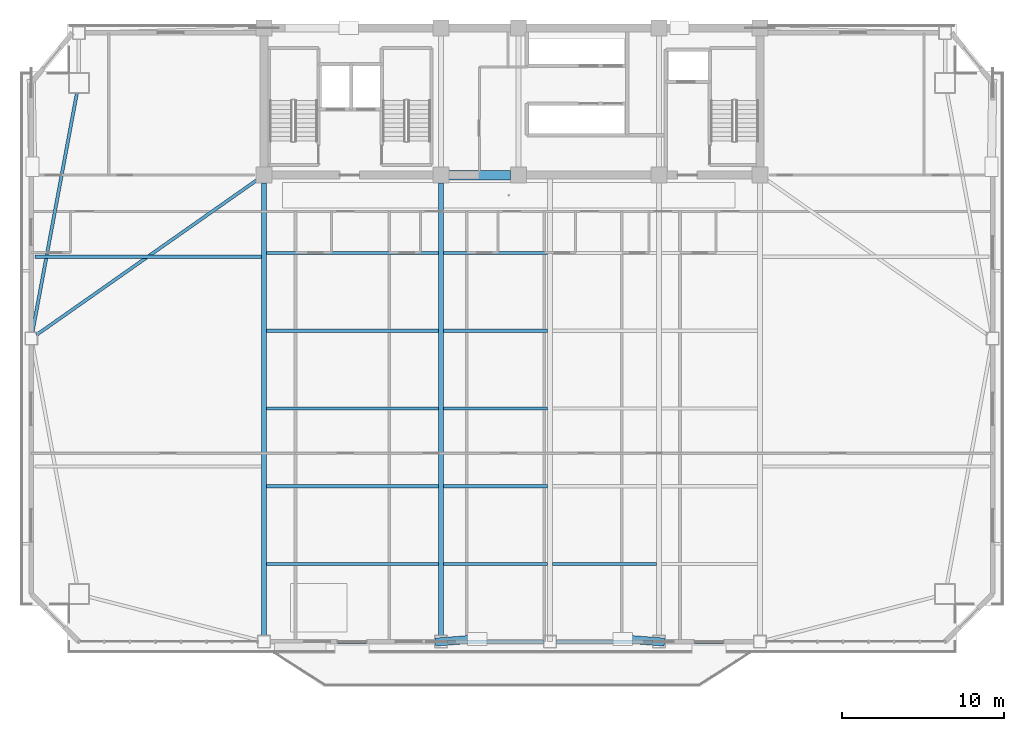
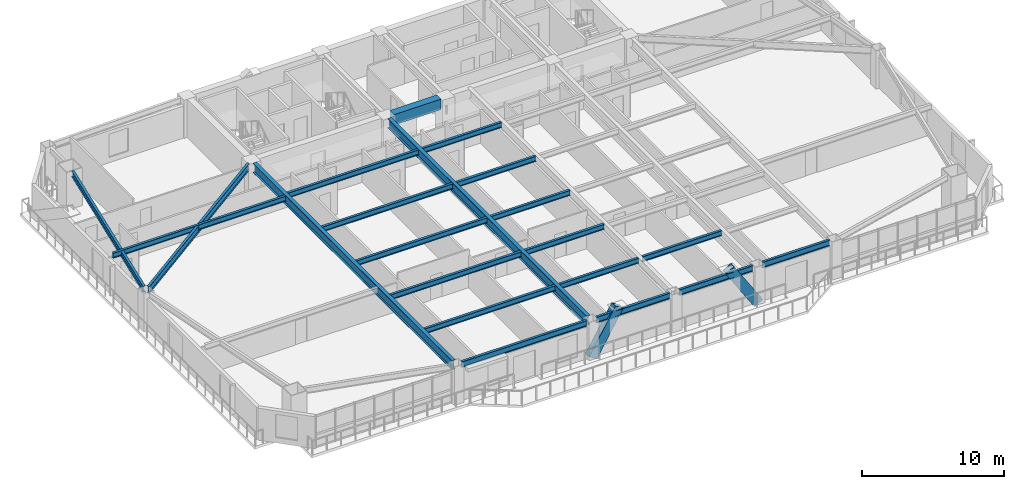
# One storey, part 3 of 15: 21 beams, 2 members.
"""IFC4 building model written with IfcOpenShell, lengths in metres."""

from ifc_helpers import new_model, si_unit, direction, frame, origin, origin_2d, place, context, subcontext, project, spatial, rectangle, hollow_rectangle, i_section, extrude, source, transform, mapped, material, material_profile, profile_set, type_object, element, save


model = new_model("IFC4")

# Units and contexts
model_context = context("Model", 3, precision=1e-05, world=origin(), true_north=direction((0.0, 1.0)))
body_context = subcontext(model_context, "Body", "Model", "MODEL_VIEW")
ifc_project = project(units=[si_unit("LENGTHUNIT", "METRE"), si_unit("AREAUNIT", "SQUARE_METRE"), si_unit("VOLUMEUNIT", "CUBIC_METRE"), si_unit("PLANEANGLEUNIT", "RADIAN"), si_unit("MASSUNIT", "GRAM", prefix="KILO")], contexts=[model_context])

# Site, building, storey
site_placement = place(None, origin())
site = spatial("IfcSite", under=ifc_project, at=site_placement, CompositionType="ELEMENT")
building_placement = place(site_placement, origin())
building = spatial("IfcBuilding", under=site, at=building_placement, Name="Giltprow Tower", CompositionType="ELEMENT")
storey_placement = place(building_placement, frame((0.0, 0.0, 149.199951171875)))
storey = spatial("IfcBuildingStorey", under=building, at=storey_placement, Name="L36", CompositionType="ELEMENT", Elevation=149.199951171875)

# Beams
ifc_material_1 = material(Name="Structural steel Q355B", Category="steel")
ifc_material_profile_1 = material_profile(ifc_material_1, i_section(OverallWidth=0.199951171875, OverallDepth=0.449951171875, WebThickness=0.009033203125, FlangeThickness=0.013916015625, at=origin_2d()), Name="HN 450x200x9x14")
ifc_profile_set_1 = profile_set([ifc_material_profile_1], Name="Structural steel Q355B")
beam_type_1 = type_object("IfcBeamType", Name="BM-JOIST-HN450", PredefinedType="JOIST", material=ifc_profile_set_1)
shared_shape_1 = source(origin(), body_context, "Body", "SweptSolid", [
    extrude(i_section(OverallWidth=0.199951171875, OverallDepth=0.449951171875, WebThickness=0.009033203125, FlangeThickness=0.013916015625, at=origin_2d()), origin(), (0.0, 0.0, 1.0), 10.659912109375),
])
for number, where, z_axis, x_axis, name in (
    (1, (19.9951171875, 13.385009765625, 3.045166015625), (1.0, 0.0, 0.0), (0.0, 1.0, 0.0), "L36 Composite Floor Joist 1-1"),
    (2, (19.9951171875, 18.197998046875, 3.045166015625), (1.0, 0.0, 0.0), (0.0, 1.0, 0.0), "L36 Composite Floor Joist 2-1"),
    (3, (19.9951171875, 23.010986328125, 3.045166015625), (1.0, 0.0, 0.0), (0.0, 1.0, 0.0), "L36 Composite Floor Joist 3-1"),
    (4, (19.9951171875, 27.823974609375, 3.045166015625), (1.0, 0.0, 0.0), (0.0, 1.0, 0.0), "L36 Composite Floor Joist 4-1"),
    (5, (19.9951171875, 32.636962890625, 3.045166015625), (1.0, 0.0, 0.0), (0.0, 1.0, 0.0), "L36 Composite Floor Joist 5-1"),
):
    element("IfcBeam", number, at=place(storey_placement, frame(where, z_axis=z_axis, x_axis=x_axis)), inside=storey, type_object=beam_type_1, Name=name, PredefinedType="JOIST", context=body_context, shape_type="MappedRepresentation", body=[
        mapped(shared_shape_1, transform((0.0, 0.0, 0.0), x_axis=(1.0, 0.0, 0.0), y_axis=(0.0, 1.0, 0.0), z_axis=(0.0, 0.0, 1.0), scale=1.0)),
    ])
shared_shape_2 = source(origin(), body_context, "Body", "SweptSolid", [
    extrude(i_section(OverallWidth=0.199951171875, OverallDepth=0.449951171875, WebThickness=0.009033203125, FlangeThickness=0.013916015625, at=origin_2d()), origin(), (0.0, 0.0, 1.0), 6.4599609375),
])
for number, where, z_axis, x_axis, name in (
    (6, (30.945068359375, 13.385009765625, 3.045166015625), (1.0, 0.0, 0.0), (0.0, 1.0, 0.0), "L36 Composite Floor Joist 1-2"),
    (7, (37.695068359375, 13.385009765625, 3.045166015625), (1.0, 0.0, 0.0), (0.0, 1.0, 0.0), "L36 Composite Floor Joist 1-3"),
    (8, (30.945068359375, 18.197998046875, 3.045166015625), (1.0, 0.0, 0.0), (0.0, 1.0, 0.0), "L36 Composite Floor Joist 2-2"),
    (9, (30.945068359375, 23.010986328125, 3.045166015625), (1.0, 0.0, 0.0), (0.0, 1.0, 0.0), "L36 Composite Floor Joist 3-2"),
    (10, (30.945068359375, 27.823974609375, 3.045166015625), (1.0, 0.0, 0.0), (0.0, 1.0, 0.0), "L36 Composite Floor Joist 4-2"),
    (11, (30.945068359375, 32.636962890625, 3.045166015625), (1.0, 0.0, 0.0), (0.0, 1.0, 0.0), "L36 Composite Floor Joist 5-2"),
):
    element("IfcBeam", number, at=place(storey_placement, frame(where, z_axis=z_axis, x_axis=x_axis)), inside=storey, type_object=beam_type_1, Name=name, PredefinedType="JOIST", context=body_context, shape_type="MappedRepresentation", body=[
        mapped(shared_shape_2, transform((0.0, 0.0, 0.0), x_axis=(1.0, 0.0, 0.0), y_axis=(0.0, 1.0, 0.0), z_axis=(0.0, 0.0, 1.0), scale=1.0)),
    ])
ifc_material_profile_2 = material_profile(ifc_material_1, i_section(OverallWidth=0.199951171875, OverallDepth=0.5, WebThickness=0.010009765625, FlangeThickness=0.01611328125, at=origin_2d()), Name="HN 500x200x10x16")
ifc_profile_set_2 = profile_set([ifc_material_profile_2], Name="Structural steel Q355B")
beam_type_2 = type_object("IfcBeamType", Name="BM-SPAN-HN500", PredefinedType="SPANDREL", material=ifc_profile_set_2)
shared_shape_3 = source(origin(), body_context, "Body", "SweptSolid", [
    extrude(i_section(OverallWidth=0.199951171875, OverallDepth=0.5, WebThickness=0.010009765625, FlangeThickness=0.01611328125, at=origin_2d()), origin(), (0.0, 0.0, 1.0), 10.179931640625),
])
beam_1_placement = place(storey_placement, frame((20.235107421875, 8.572021484375, 3.02001953125), z_axis=(1.0, 0.0, 0.0), x_axis=(0.0, 1.0, 0.0)))
element("IfcBeam", 12, at=beam_1_placement, inside=storey, type_object=beam_type_2, Name="L36 Perimeter Spandrel Beam S1-S2", PredefinedType="SPANDREL", context=body_context, shape_type="MappedRepresentation", body=[
    mapped(shared_shape_3, transform((0.0, 0.0, 0.0), x_axis=(1.0, 0.0, 0.0), y_axis=(0.0, 1.0, 0.0), z_axis=(0.0, 0.0, 1.0), scale=1.0)),
])
shared_shape_4 = source(origin(), body_context, "Body", "SweptSolid", [
    extrude(i_section(OverallWidth=0.199951171875, OverallDepth=0.5, WebThickness=0.010009765625, FlangeThickness=0.01611328125, at=origin_2d()), origin(), (0.0, 0.0, 1.0), 5.97998046875),
])
for number, where, z_axis, x_axis, name in (
    (13, (31.18505859375, 8.572021484375, 3.02001953125), (1.0, 0.0, 0.0), (0.0, 1.0, 0.0), "L36 Perimeter Spandrel Beam S2-S_MID"),
    (14, (37.93505859375, 8.572021484375, 3.02001953125), (1.0, 0.0, 0.0), (0.0, 1.0, 0.0), "L36 Perimeter Spandrel Beam S_MID-S3"),
):
    element("IfcBeam", number, at=place(storey_placement, frame(where, z_axis=z_axis, x_axis=x_axis)), inside=storey, type_object=beam_type_2, Name=name, PredefinedType="SPANDREL", context=body_context, shape_type="MappedRepresentation", body=[
        mapped(shared_shape_4, transform((0.0, 0.0, 0.0), x_axis=(1.0, 0.0, 0.0), y_axis=(0.0, 1.0, 0.0), z_axis=(0.0, 0.0, 1.0), scale=1.0)),
    ])
shared_shape_5 = source(origin(), body_context, "Body", "SweptSolid", [
    extrude(i_section(OverallWidth=0.199951171875, OverallDepth=0.5, WebThickness=0.010009765625, FlangeThickness=0.01611328125, at=origin_2d()), origin(), (0.0, 0.0, 1.0), 5.47998046875),
])
beam_2_placement = place(storey_placement, frame((44.68505859375, 8.572021484375, 3.02001953125), z_axis=(1.0, 0.0, 0.0), x_axis=(0.0, 1.0, 0.0)))
element("IfcBeam", 15, at=beam_2_placement, inside=storey, type_object=beam_type_2, Name="L36 Perimeter Spandrel Beam S3-S4", PredefinedType="SPANDREL", context=body_context, shape_type="MappedRepresentation", body=[
    mapped(shared_shape_5, transform((0.0, 0.0, 0.0), x_axis=(1.0, 0.0, 0.0), y_axis=(0.0, 1.0, 0.0), z_axis=(0.0, 0.0, 1.0), scale=1.0)),
])
shared_shape_6 = source(origin(), body_context, "Body", "SweptSolid", [
    extrude(i_section(OverallWidth=0.199951171875, OverallDepth=0.5, WebThickness=0.010009765625, FlangeThickness=0.01611328125, at=origin_2d()), origin(), (0.0, 0.0, 1.0), 15.075439453125),
])
beam_3_placement = place(storey_placement, frame((8.27197265625, 42.537109375, 3.02001953125), z_axis=(-0.182609413871, -0.983185537915, 0.0), x_axis=(0.983185537915, -0.182609413871, 0.0)))
element("IfcBeam", 16, at=beam_3_placement, inside=storey, type_object=beam_type_2, Name="L36 Perimeter Spandrel Beam MC_NW-W_MID", PredefinedType="SPANDREL", context=body_context, shape_type="MappedRepresentation", body=[
    mapped(shared_shape_6, transform((0.0, 0.0, 0.0), x_axis=(1.0, 0.0, 0.0), y_axis=(0.0, 1.0, 0.0), z_axis=(0.0, 0.0, 1.0), scale=1.0)),
])
shared_shape_7 = source(origin(), body_context, "Body", "SweptSolid", [
    extrude(i_section(OverallWidth=0.199951171875, OverallDepth=0.449951171875, WebThickness=0.009033203125, FlangeThickness=0.013916015625, at=origin_2d()), origin(), (0.0, 0.0, 1.0), 14.0361328125),
])
beam_4_placement = place(storey_placement, frame((5.6689453125, 32.39306640625, 3.045166015625), z_axis=(1.0, 0.0, 0.0), x_axis=(0.0, 1.0, 0.0)))
element("IfcBeam", 17, at=beam_4_placement, inside=storey, type_object=beam_type_1, Name="L36 West Wing Floor Joist 2", PredefinedType="JOIST", context=body_context, shape_type="MappedRepresentation", body=[
    mapped(shared_shape_7, transform((0.0, 0.0, 0.0), x_axis=(1.0, 0.0, 0.0), y_axis=(0.0, 1.0, 0.0), z_axis=(0.0, 0.0, 1.0), scale=1.0)),
])
ifc_material_2 = material(Name="Concrete C50", Category="concrete")
ifc_material_profile_3 = material_profile(ifc_material_2, rectangle(XDim=0.60009765625, YDim=0.89990234375, at=origin_2d()), Name="RC 900x600")
ifc_profile_set_3 = profile_set([ifc_material_profile_3], Name="Concrete C50")
beam_type_3 = type_object("IfcBeamType", Name="BM-CPL-RC900", PredefinedType="LINTEL", material=ifc_profile_set_3)
shared_shape_8 = source(origin(), body_context, "Body", "SweptSolid", [
    extrude(rectangle(XDim=0.60009765625, YDim=0.89990234375, at=origin_2d()), origin(), (0.0, 0.0, 1.0), 3.830078125),
])
beam_5_placement = place(storey_placement, frame((31.284912109375, 37.449951171875, 2.820068359375), z_axis=(1.0, 0.0, 0.0), x_axis=(0.0, 1.0, 0.0)))
element("IfcBeam", 18, at=beam_5_placement, inside=storey, type_object=beam_type_3, Name="L36 Core Coupling Beam CB-1", PredefinedType="LINTEL", context=body_context, shape_type="MappedRepresentation", body=[
    mapped(shared_shape_8, transform((0.0, 0.0, 0.0), x_axis=(1.0, 0.0, 0.0), y_axis=(0.0, 1.0, 0.0), z_axis=(0.0, 0.0, 1.0), scale=1.0)),
])
ifc_material_profile_4 = material_profile(ifc_material_1, i_section(OverallWidth=0.300048828125, OverallDepth=0.800048828125, WebThickness=0.013916015625, FlangeThickness=0.02587890625, at=origin_2d()), Name="HN 800x300x14x26")
ifc_profile_set_4 = profile_set([ifc_material_profile_4], Name="Structural steel Q355B")
beam_type_4 = type_object("IfcBeamType", Name="BM-GIRD-HN800", PredefinedType="BEAM", material=ifc_profile_set_4)
shared_shape_9 = source(origin(), body_context, "Body", "SweptSolid", [
    extrude(i_section(OverallWidth=0.300048828125, OverallDepth=0.800048828125, WebThickness=0.013916015625, FlangeThickness=0.02587890625, at=origin_2d()), origin(), (0.0, 0.0, 1.0), 28.008056640625),
])
for number, where, z_axis, x_axis, name in (
    (19, (19.85009765625, 8.95703125, 2.8701171875), (0.0, 1.0, 0.0), (-1.0, 0.0, 0.0), "L36 Primary Lease Girder S1"),
    (20, (30.800048828125, 8.95703125, 2.8701171875), (0.0, 1.0, 0.0), (-1.0, 0.0, 0.0), "L36 Primary Lease Girder S2"),
):
    element("IfcBeam", number, at=place(storey_placement, frame(where, z_axis=z_axis, x_axis=x_axis)), inside=storey, type_object=beam_type_4, Name=name, PredefinedType="BEAM", context=body_context, shape_type="MappedRepresentation", body=[
        mapped(shared_shape_9, transform((0.0, 0.0, 0.0), x_axis=(1.0, 0.0, 0.0), y_axis=(0.0, 1.0, 0.0), z_axis=(0.0, 0.0, 1.0), scale=1.0)),
    ])
ifc_material_profile_5 = material_profile(ifc_material_1, i_section(OverallWidth=0.199951171875, OverallDepth=0.60009765625, WebThickness=0.010986328125, FlangeThickness=0.01708984375, at=origin_2d()), Name="HN 600x200x11x17")
ifc_profile_set_5 = profile_set([ifc_material_profile_5], Name="Structural steel Q355B")
beam_type_5 = type_object("IfcBeamType", Name="BM-GIRD-HN600", PredefinedType="BEAM", material=ifc_profile_set_5)
shared_shape_10 = source(origin(), body_context, "Body", "SweptSolid", [
    extrude(i_section(OverallWidth=0.199951171875, OverallDepth=0.60009765625, WebThickness=0.010986328125, FlangeThickness=0.01708984375, at=origin_2d()), origin(), (0.0, 0.0, 1.0), 16.727783203125),
])
beam_6_placement = place(storey_placement, frame((5.763916015625, 27.556884765625, 2.969970703125), z_axis=(0.818339560657, 0.574735037616, 0.0), x_axis=(-0.574735037616, 0.818339560657, 0.0)))
element("IfcBeam", 21, at=beam_6_placement, inside=storey, type_object=beam_type_5, Name="L36 West Wing Primary Girder", PredefinedType="BEAM", context=body_context, shape_type="MappedRepresentation", body=[
    mapped(shared_shape_10, transform((0.0, 0.0, 0.0), x_axis=(1.0, 0.0, 0.0), y_axis=(0.0, 1.0, 0.0), z_axis=(0.0, 0.0, 1.0), scale=1.0)),
])

# Members
ifc_material_3 = material(Name="Structural steel Q420GJC", Category="steel")
ifc_material_profile_6 = material_profile(ifc_material_3, hollow_rectangle(XDim=0.5, YDim=0.800048828125, WallThickness=0.035888671875, at=origin_2d()), Name="RHS 800x500x36")
ifc_profile_set_6 = profile_set([ifc_material_profile_6], Name="Structural steel Q420GJC")
member_type = type_object("IfcMemberType", Name="MBR-MEGA-RHS800", PredefinedType="BRACE", material=ifc_profile_set_6)
shared_shape_11 = source(origin(), body_context, "Body", "SweptSolid", [
    extrude(hollow_rectangle(XDim=0.5, YDim=0.800048828125, WallThickness=0.035888671875, at=origin_2d()), origin(), (0.0, 0.0, 1.0), 4.16455078125),
])
for number, where, z_axis, x_axis, name in (
    (22, (30.800048828125, 8.572021484375, 0.0), (0.540279671298, 0.042033477031, 0.840435044242), (-0.077565091902, 0.996987290049, 0.0), "L36 Chevron Mega-Brace S-L"),
    (23, (44.300048828125, 8.572021484375, 0.0), (-0.540279671298, 0.042033477031, 0.840435044242), (-0.077565091902, -0.996987290049, 0.0), "L36 Chevron Mega-Brace S-R"),
):
    element("IfcMember", number, at=place(storey_placement, frame(where, z_axis=z_axis, x_axis=x_axis)), inside=storey, type_object=member_type, Name=name, PredefinedType="BRACE", context=body_context, shape_type="MappedRepresentation", body=[
        mapped(shared_shape_11, transform((0.0, 0.0, 0.0), x_axis=(1.0, 0.0, 0.0), y_axis=(0.0, 1.0, 0.0), z_axis=(0.0, 0.0, 1.0), scale=1.0)),
    ])

save(model, "model.ifc")
